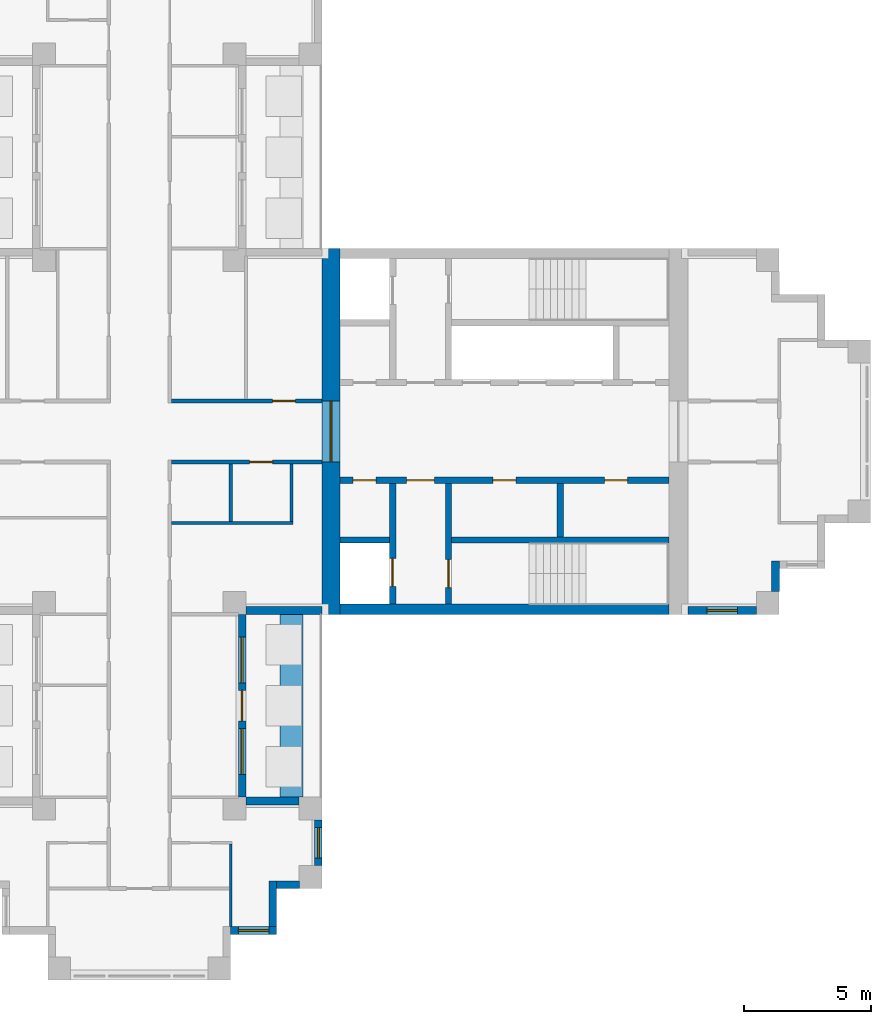
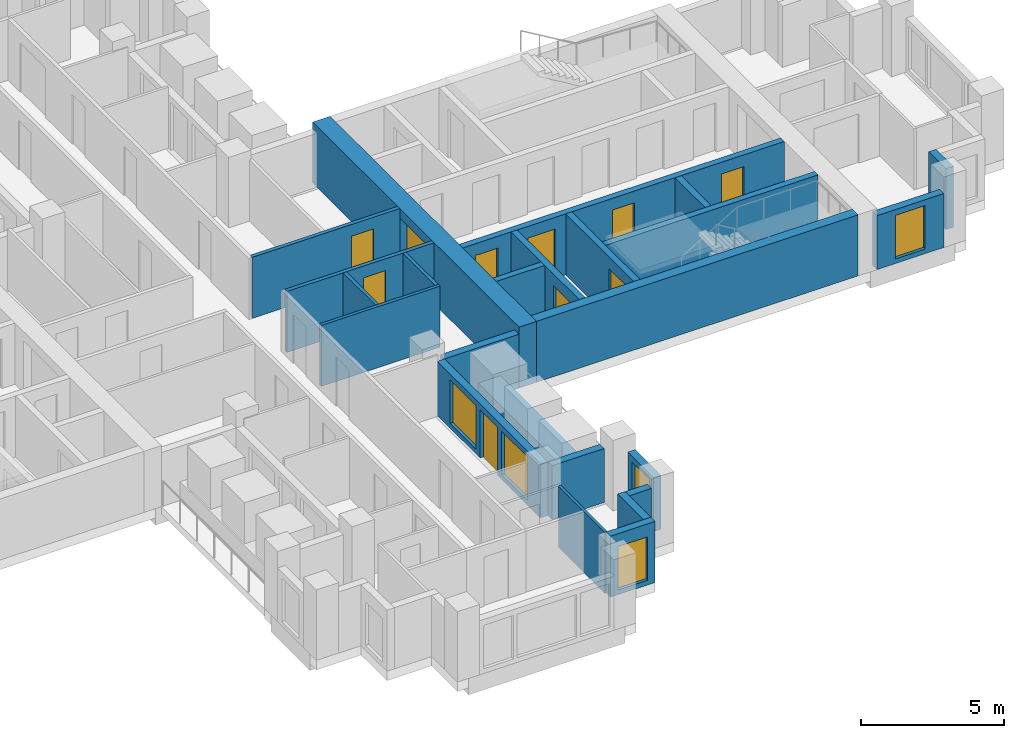
# One storey, part 5 of 10: 24 walls, 10 doors, 5 windows, 15 openings.
"""IFC4 building model written with IfcOpenShell, lengths in metres."""

from ifc_helpers import new_model, si_unit, direction, frame, frame_2d, origin, place, context, subcontext, project, spatial, rectangle, extrude, material, layer, layer_set, type_object, element, fill, save


model = new_model("IFC4")

# Units and contexts
model_context = context("Model", 3, precision=1e-05, world=origin(), true_north=direction((0.0, 1.0)))
body_context = subcontext(model_context, "Body", "Model", "MODEL_VIEW")
ifc_project = project(units=[si_unit("LENGTHUNIT", "METRE"), si_unit("AREAUNIT", "SQUARE_METRE"), si_unit("VOLUMEUNIT", "CUBIC_METRE"), si_unit("PLANEANGLEUNIT", "RADIAN"), si_unit("MASSUNIT", "GRAM", prefix="KILO")], contexts=[model_context])

# Site, building, storey
site_placement = place(None, origin())
site = spatial("IfcSite", under=ifc_project, at=site_placement, CompositionType="ELEMENT")
building_placement = place(site_placement, origin())
building = spatial("IfcBuilding", under=site, at=building_placement, Name="Fustian Cross Tower", CompositionType="ELEMENT")
storey_placement = place(building_placement, frame((0.0, 0.0, 204.89990234375)))
storey = spatial("IfcBuildingStorey", under=building, at=storey_placement, Name="L64", CompositionType="ELEMENT", Elevation=204.89990234375)

# Wall, opening, door
ifc_material_1 = material(Name="Plasterboard on steel stud", Category="steel")
ifc_layer_1 = layer(ifc_material_1, 0.14990234375)
ifc_layer_set_1 = layer_set([ifc_layer_1], Name="Plasterboard on steel stud")
wall_type_1 = type_object("IfcWallType", Name="COMPARTMENT WALL 150 EI 60", PredefinedType="PARTITIONING", material=ifc_layer_set_1)
wall_1_placement = place(storey_placement, frame((1.27490234375, -1.199951171875, 0.0), z_axis=(0.0, 0.0, 1.0), x_axis=(1.0, 0.0, 0.0)))
wall_1 = element("IfcWall", 1, at=wall_1_placement, inside=storey, type_object=wall_type_1, Name="Partition 36", PredefinedType="PARTITIONING", context=body_context, shape_type="SweptSolid", body=[
    extrude(rectangle(XDim=5.925048828125, YDim=0.14990234375, at=frame_2d((2.96240234375, 0.0))), origin(), (0.0, 0.0, 1.0), 2.60009765625),
])
opening_1_placement = place(wall_1_placement, frame((3.074951171875, 0.0, 0.0)))
opening_1 = element("IfcOpeningElement", 2, at=opening_1_placement, cuts=wall_1, Name="Opening D29007", PredefinedType="OPENING", context=body_context, shape_type="SweptSolid", body=[
    extrude(rectangle(XDim=0.89990234375, YDim=2.10009765625, at=frame_2d((0.449951171875, 1.050048828125))), frame((0.0, 0.0849609375, 0.0), z_axis=(0.0, -1.0, 0.0), x_axis=(1.0, 0.0, 0.0)), (0.0, 0.0, 1.0), 0.169921875),
])
ifc_material_2 = material(Name="Timber fire door set", Category="wood")
door_type_1 = type_object("IfcDoorType", Name="FIRE SWING DOOR 900 FD30S", OperationType="SINGLE_SWING_LEFT", PredefinedType="DOOR", material=ifc_material_2)
door_1_placement = place(opening_1_placement, frame((0.89990234375, 0.0, 0.0), z_axis=(0.0, 0.0, 1.0), x_axis=(-1.0, 0.0, 0.0)))
door_1 = element("IfcDoor", 3, at=door_1_placement, inside=storey, type_object=door_type_1, Name="Door D29007", OperationType="SINGLE_SWING_RIGHT", OverallHeight=2.10009765625, OverallWidth=0.89990234375, PredefinedType="DOOR", context=body_context, shape_type="SweptSolid", body=[
    extrude(rectangle(XDim=0.89990234375, YDim=2.10009765625, at=frame_2d((0.449951171875, 1.050048828125))), frame((0.0, 0.02490234375, 0.0), z_axis=(0.0, -1.0, 0.0), x_axis=(1.0, 0.0, 0.0)), (0.0, 0.0, 1.0), 0.050048828125),
])
fill(opening_1, door_1)

wall_2_placement = place(storey_placement, frame((1.27490234375, 1.199951171875, 0.0), z_axis=(0.0, 0.0, 1.0), x_axis=(1.0, 0.0, 0.0)))
wall_2 = element("IfcWall", 4, at=wall_2_placement, inside=storey, type_object=wall_type_1, Name="Partition 38", PredefinedType="PARTITIONING", context=body_context, shape_type="SweptSolid", body=[
    extrude(rectangle(XDim=5.925048828125, YDim=0.14990234375, at=frame_2d((2.96240234375, 0.0))), origin(), (0.0, 0.0, 1.0), 2.60009765625),
])
opening_2_placement = place(wall_2_placement, frame((3.97509765625, 0.0, 0.0)))
opening_2 = element("IfcOpeningElement", 5, at=opening_2_placement, cuts=wall_2, Name="Opening D29002", PredefinedType="OPENING", context=body_context, shape_type="SweptSolid", body=[
    extrude(rectangle(XDim=0.89990234375, YDim=2.10009765625, at=frame_2d((0.449951171875, 1.050048828125))), frame((0.0, 0.0849609375, 0.0), z_axis=(0.0, -1.0, 0.0), x_axis=(1.0, 0.0, 0.0)), (0.0, 0.0, 1.0), 0.169921875),
])
door_2_placement = place(opening_2_placement, origin())
door_2 = element("IfcDoor", 6, at=door_2_placement, inside=storey, type_object=door_type_1, Name="Door D29002", OperationType="SINGLE_SWING_RIGHT", OverallHeight=2.10009765625, OverallWidth=0.89990234375, PredefinedType="DOOR", context=body_context, shape_type="SweptSolid", body=[
    extrude(rectangle(XDim=0.89990234375, YDim=2.10009765625, at=frame_2d((0.449951171875, 1.050048828125))), frame((0.0, 0.02490234375, 0.0), z_axis=(0.0, -1.0, 0.0), x_axis=(1.0, 0.0, 0.0)), (0.0, 0.0, 1.0), 0.050048828125),
])
fill(opening_2, door_2)

ifc_material_3 = material(Name="Concrete C50/60", Category="concrete")
ifc_layer_2 = layer(ifc_material_3, 0.699951171875)
ifc_layer_set_2 = layer_set([ifc_layer_2], Name="Concrete C50/60")
wall_type_2 = type_object("IfcWallType", Name="CORE END WALL 700 C50/60", PredefinedType="SHEAR", material=ifc_layer_set_2)
wall_3_placement = place(storey_placement, frame((7.550048828125, -7.199951171875, 0.0), z_axis=(0.0, 0.0, 1.0), x_axis=(0.0, 1.0, 0.0)))
wall_3 = element("IfcWall", 7, at=wall_3_placement, inside=storey, type_object=wall_type_2, Name="Core end wall", PredefinedType="SHEAR", context=body_context, shape_type="SweptSolid", body=[
    extrude(rectangle(XDim=14.39990234375, YDim=0.699951171875, at=frame_2d((7.199951171875, 0.0))), origin(), (0.0, 0.0, 1.0), 2.60009765625),
])
opening_3_placement = place(wall_3_placement, frame((6.0, 0.0, 0.0)))
opening_3 = element("IfcOpeningElement", 8, at=opening_3_placement, cuts=wall_3, Name="Opening CD-27-12", PredefinedType="OPENING", context=body_context, shape_type="SweptSolid", body=[
    extrude(rectangle(XDim=2.39990234375, YDim=2.199951171875, at=frame_2d((1.199951171875, 1.10009765625))), frame((0.0, 0.35986328125, 0.0), z_axis=(0.0, -1.0, 0.0), x_axis=(1.0, 0.0, 0.0)), (0.0, 0.0, 1.0), 0.719970703125),
])
ifc_material_4 = material(Name="Steel", Category="steel")
door_type_2 = type_object("IfcDoorType", Name="FIRE DOOR FD30S DOUBLE 2400X2200", OperationType="DOUBLE_DOOR_DOUBLE_SWING", PredefinedType="DOOR", material=ifc_material_4)
door_3_placement = place(opening_3_placement, frame((2.39990234375, 0.0, 0.0), z_axis=(0.0, 0.0, 1.0), x_axis=(-1.0, 0.0, 0.0)))
door_3 = element("IfcDoor", 9, at=door_3_placement, inside=storey, type_object=door_type_2, Name="Core door CD-27-12", OperationType="DOUBLE_DOOR_DOUBLE_SWING", OverallHeight=2.199951171875, OverallWidth=2.39990234375, PredefinedType="DOOR", context=body_context, shape_type="SweptSolid", body=[
    extrude(rectangle(XDim=2.39990234375, YDim=2.199951171875, at=frame_2d((1.199951171875, 1.10009765625))), frame((0.0, 0.02490234375, 0.0), z_axis=(0.0, -1.0, 0.0), x_axis=(1.0, 0.0, 0.0)), (0.0, 0.0, 1.0), 0.050048828125),
])
fill(opening_3, door_3)

# Wall
ifc_material_5 = material(Name="Concrete C50/60", Category="concrete")
ifc_layer_3 = layer(ifc_material_5, 0.39990234375)
ifc_layer_set_3 = layer_set([ifc_layer_3], Name="Concrete C50/60")
wall_type_3 = type_object("IfcWallType", Name="CORE FACADE WALL 400 C50/60", PredefinedType="SHEAR", material=ifc_layer_set_3)
wall_4_placement = place(storey_placement, frame((7.89990234375, -7.0, 0.0), z_axis=(0.0, 0.0, 1.0), x_axis=(1.0, 0.0, 0.0)))
element("IfcWall", 10, at=wall_4_placement, inside=storey, type_object=wall_type_3, Name="Core facade wall", PredefinedType="SHEAR", context=body_context, shape_type="SweptSolid", body=[
    extrude(rectangle(XDim=12.9501953125, YDim=0.39990234375, at=frame_2d((6.47509765625, 0.0))), origin(), (0.0, 0.0, 1.0), 2.60009765625),
])

# Wall, openings, doors
ifc_material_6 = material(Name="Concrete C50/60", Category="concrete")
ifc_layer_4 = layer(ifc_material_6, 0.25)
ifc_layer_set_4 = layer_set([ifc_layer_4], Name="Concrete C50/60")
wall_type_4 = type_object("IfcWallType", Name="CORE LOBBY WALL 250 C50/60", PredefinedType="SHEAR", material=ifc_layer_set_4)
wall_5_placement = place(storey_placement, frame((7.89990234375, -1.925048828125, 0.0), z_axis=(0.0, 0.0, 1.0), x_axis=(1.0, 0.0, 0.0)))
wall_5 = element("IfcWall", 11, at=wall_5_placement, inside=storey, type_object=wall_type_4, Name="Core lobby wall", PredefinedType="SHEAR", context=body_context, shape_type="SweptSolid", body=[
    extrude(rectangle(XDim=12.9501953125, YDim=0.25, at=frame_2d((6.47509765625, 0.0))), origin(), (0.0, 0.0, 1.0), 2.60009765625),
])
opening_4_placement = place(wall_5_placement, frame((0.52490234375, 0.0, 0.0)))
opening_4 = element("IfcOpeningElement", 12, at=opening_4_placement, cuts=wall_5, Name="Opening CD-27-09", PredefinedType="OPENING", context=body_context, shape_type="SweptSolid", body=[
    extrude(rectangle(XDim=0.89990234375, YDim=2.10009765625, at=frame_2d((0.449951171875, 1.050048828125))), frame((0.0, 0.135009765625, 0.0), z_axis=(0.0, -1.0, 0.0), x_axis=(1.0, 0.0, 0.0)), (0.0, 0.0, 1.0), 0.27001953125),
])
opening_5_placement = place(wall_5_placement, frame((2.625, 0.0, 0.0)))
opening_5 = element("IfcOpeningElement", 13, at=opening_5_placement, cuts=wall_5, Name="Opening CD-27-11", PredefinedType="OPENING", context=body_context, shape_type="SweptSolid", body=[
    extrude(rectangle(XDim=1.10009765625, YDim=2.10009765625, at=frame_2d((0.550048828125, 1.050048828125))), frame((0.0, 0.135009765625, 0.0), z_axis=(0.0, -1.0, 0.0), x_axis=(1.0, 0.0, 0.0)), (0.0, 0.0, 1.0), 0.27001953125),
])
opening_6_placement = place(wall_5_placement, frame((6.02490234375, 0.0, 0.0)))
opening_6 = element("IfcOpeningElement", 14, at=opening_6_placement, cuts=wall_5, Name="Opening CD-27-15", PredefinedType="OPENING", context=body_context, shape_type="SweptSolid", body=[
    extrude(rectangle(XDim=0.89990234375, YDim=2.10009765625, at=frame_2d((0.449951171875, 1.050048828125))), frame((0.0, 0.135009765625, 0.0), z_axis=(0.0, -1.0, 0.0), x_axis=(1.0, 0.0, 0.0)), (0.0, 0.0, 1.0), 0.27001953125),
])
opening_7_placement = place(wall_5_placement, frame((10.425048828125, 0.0, 0.0)))
opening_7 = element("IfcOpeningElement", 15, at=opening_7_placement, cuts=wall_5, Name="Opening CD-27-16", PredefinedType="OPENING", context=body_context, shape_type="SweptSolid", body=[
    extrude(rectangle(XDim=0.89990234375, YDim=2.10009765625, at=frame_2d((0.449951171875, 1.050048828125))), frame((0.0, 0.135009765625, 0.0), z_axis=(0.0, -1.0, 0.0), x_axis=(1.0, 0.0, 0.0)), (0.0, 0.0, 1.0), 0.27001953125),
])
ifc_material_7 = material(Name="Steel", Category="steel")
door_type_3 = type_object("IfcDoorType", Name="FIRE DOOR FD30S 1100X2100", OperationType="SINGLE_SWING_LEFT", PredefinedType="DOOR", material=ifc_material_7)
door_4_placement = place(opening_5_placement, frame((1.10009765625, 0.0, 0.0), z_axis=(0.0, 0.0, 1.0), x_axis=(-1.0, 0.0, 0.0)))
door_4 = element("IfcDoor", 16, at=door_4_placement, inside=storey, type_object=door_type_3, Name="Core door CD-27-11", OperationType="SINGLE_SWING_RIGHT", OverallHeight=2.10009765625, OverallWidth=1.10009765625, PredefinedType="DOOR", context=body_context, shape_type="SweptSolid", body=[
    extrude(rectangle(XDim=1.10009765625, YDim=2.10009765625, at=frame_2d((0.550048828125, 1.050048828125))), frame((0.0, 0.02490234375, 0.0), z_axis=(0.0, -1.0, 0.0), x_axis=(1.0, 0.0, 0.0)), (0.0, 0.0, 1.0), 0.050048828125),
])
fill(opening_5, door_4)
ifc_material_8 = material(Name="Steel", Category="steel")
door_type_4 = type_object("IfcDoorType", Name="FIRE DOOR FD30S 900X2100", OperationType="SINGLE_SWING_LEFT", PredefinedType="DOOR", material=ifc_material_8)
door_5_placement = place(opening_4_placement, frame((0.89990234375, 0.0, 0.0), z_axis=(0.0, 0.0, 1.0), x_axis=(-1.0, 0.0, 0.0)))
door_5 = element("IfcDoor", 17, at=door_5_placement, inside=storey, type_object=door_type_4, Name="Core door CD-27-09", OperationType="SINGLE_SWING_RIGHT", OverallHeight=2.10009765625, OverallWidth=0.89990234375, PredefinedType="DOOR", context=body_context, shape_type="SweptSolid", body=[
    extrude(rectangle(XDim=0.89990234375, YDim=2.10009765625, at=frame_2d((0.449951171875, 1.050048828125))), frame((0.0, 0.02490234375, 0.0), z_axis=(0.0, -1.0, 0.0), x_axis=(1.0, 0.0, 0.0)), (0.0, 0.0, 1.0), 0.050048828125),
])
fill(opening_4, door_5)
door_6_placement = place(opening_6_placement, frame((0.89990234375, 0.0, 0.0), z_axis=(0.0, 0.0, 1.0), x_axis=(-1.0, 0.0, 0.0)))
door_6 = element("IfcDoor", 18, at=door_6_placement, inside=storey, type_object=door_type_4, Name="Core door CD-27-15", OperationType="SINGLE_SWING_LEFT", OverallHeight=2.10009765625, OverallWidth=0.89990234375, PredefinedType="DOOR", context=body_context, shape_type="SweptSolid", body=[
    extrude(rectangle(XDim=0.89990234375, YDim=2.10009765625, at=frame_2d((0.449951171875, 1.050048828125))), frame((0.0, 0.02490234375, 0.0), z_axis=(0.0, -1.0, 0.0), x_axis=(1.0, 0.0, 0.0)), (0.0, 0.0, 1.0), 0.050048828125),
])
fill(opening_6, door_6)
door_7_placement = place(opening_7_placement, frame((0.89990234375, 0.0, 0.0), z_axis=(0.0, 0.0, 1.0), x_axis=(-1.0, 0.0, 0.0)))
door_7 = element("IfcDoor", 19, at=door_7_placement, inside=storey, type_object=door_type_4, Name="Core door CD-27-16", OperationType="SINGLE_SWING_LEFT", OverallHeight=2.10009765625, OverallWidth=0.89990234375, PredefinedType="DOOR", context=body_context, shape_type="SweptSolid", body=[
    extrude(rectangle(XDim=0.89990234375, YDim=2.10009765625, at=frame_2d((0.449951171875, 1.050048828125))), frame((0.0, 0.02490234375, 0.0), z_axis=(0.0, -1.0, 0.0), x_axis=(1.0, 0.0, 0.0)), (0.0, 0.0, 1.0), 0.050048828125),
])
fill(opening_7, door_7)

# Walls
ifc_material_9 = material(Name="Concrete C50/60", Category="concrete")
ifc_layer_5 = layer(ifc_material_9, 0.25)
ifc_layer_set_5 = layer_set([ifc_layer_5], Name="Concrete C50/60")
wall_type_5 = type_object("IfcWallType", Name="CORE SHAFT WALL 250 C50/60", PredefinedType="SHEAR", material=ifc_layer_set_5)
wall_6_placement = place(storey_placement, frame((7.89990234375, -4.27490234375, 0.0), z_axis=(0.0, 0.0, 1.0), x_axis=(1.0, 0.0, 0.0)))
element("IfcWall", 20, at=wall_6_placement, inside=storey, type_object=wall_type_5, Name="Core shaft wall", PredefinedType="SHEAR", context=body_context, shape_type="SweptSolid", body=[
    extrude(rectangle(XDim=1.9501953125, YDim=0.25, at=frame_2d((0.97509765625, 0.0))), origin(), (0.0, 0.0, 1.0), 2.60009765625),
])
wall_7_placement = place(storey_placement, frame((12.300048828125, -4.27490234375, 0.0), z_axis=(0.0, 0.0, 1.0), x_axis=(1.0, 0.0, 0.0)))
element("IfcWall", 21, at=wall_7_placement, inside=storey, type_object=wall_type_5, Name="Core shaft wall", PredefinedType="SHEAR", context=body_context, shape_type="SweptSolid", body=[
    extrude(rectangle(XDim=8.550048828125, YDim=0.25, at=frame_2d((4.27490234375, 0.0))), origin(), (0.0, 0.0, 1.0), 2.60009765625),
])

# Wall, opening, door
wall_8_placement = place(storey_placement, frame((9.97509765625, -2.050048828125, 0.0), z_axis=(0.0, 0.0, 1.0), x_axis=(0.0, -1.0, 0.0)))
wall_8 = element("IfcWall", 22, at=wall_8_placement, inside=storey, type_object=wall_type_5, Name="Core shaft wall", PredefinedType="SHEAR", context=body_context, shape_type="SweptSolid", body=[
    extrude(rectangle(XDim=4.75, YDim=0.25, at=frame_2d((2.375, 0.0))), origin(), (0.0, 0.0, 1.0), 2.60009765625),
])
opening_8_placement = place(wall_8_placement, frame((2.949951171875, 0.0, 0.0)))
opening_8 = element("IfcOpeningElement", 23, at=opening_8_placement, cuts=wall_8, Name="Opening LD", PredefinedType="OPENING", context=body_context, shape_type="SweptSolid", body=[
    extrude(rectangle(XDim=1.10009765625, YDim=2.10009765625, at=frame_2d((0.550048828125, 1.050048828125))), frame((0.0, 0.135009765625, 0.0), z_axis=(0.0, -1.0, 0.0), x_axis=(1.0, 0.0, 0.0)), (0.0, 0.0, 1.0), 0.27001953125),
])
ifc_material_10 = material(Name="Stainless steel", Category="steel")
door_type_5 = type_object("IfcDoorType", Name="LIFT LANDING DOOR 1100X2100", OperationType="SLIDING_TO_LEFT", PredefinedType="DOOR", material=ifc_material_10)
door_8_placement = place(opening_8_placement, origin())
door_8 = element("IfcDoor", 24, at=door_8_placement, inside=storey, type_object=door_type_5, Name="Landing door SV1", OperationType="SLIDING_TO_LEFT", OverallHeight=2.10009765625, OverallWidth=1.10009765625, PredefinedType="DOOR", context=body_context, shape_type="SweptSolid", body=[
    extrude(rectangle(XDim=1.10009765625, YDim=2.10009765625, at=frame_2d((0.550048828125, 1.050048828125))), frame((0.0, 0.02490234375, 0.0), z_axis=(0.0, -1.0, 0.0), x_axis=(1.0, 0.0, 0.0)), (0.0, 0.0, 1.0), 0.050048828125),
])
fill(opening_8, door_8)

wall_9_placement = place(storey_placement, frame((12.175048828125, -2.050048828125, 0.0), z_axis=(0.0, 0.0, 1.0), x_axis=(0.0, -1.0, 0.0)))
wall_9 = element("IfcWall", 25, at=wall_9_placement, inside=storey, type_object=wall_type_5, Name="Core shaft wall", PredefinedType="SHEAR", context=body_context, shape_type="SweptSolid", body=[
    extrude(rectangle(XDim=4.75, YDim=0.25, at=frame_2d((2.375, 0.0))), origin(), (0.0, 0.0, 1.0), 2.60009765625),
])
opening_9_placement = place(wall_9_placement, frame((3.0, 0.0, 0.0)))
opening_9 = element("IfcOpeningElement", 26, at=opening_9_placement, cuts=wall_9, Name="Opening CD-27-07", PredefinedType="OPENING", context=body_context, shape_type="SweptSolid", body=[
    extrude(rectangle(XDim=1.10009765625, YDim=2.10009765625, at=frame_2d((0.550048828125, 1.050048828125))), frame((0.0, 0.135009765625, 0.0), z_axis=(0.0, -1.0, 0.0), x_axis=(1.0, 0.0, 0.0)), (0.0, 0.0, 1.0), 0.27001953125),
])
ifc_material_11 = material(Name="Steel", Category="steel")
door_type_6 = type_object("IfcDoorType", Name="FIRE DOOR FD60S 1100X2100", OperationType="SINGLE_SWING_LEFT", PredefinedType="DOOR", material=ifc_material_11)
door_9_placement = place(opening_9_placement, origin())
door_9 = element("IfcDoor", 27, at=door_9_placement, inside=storey, type_object=door_type_6, Name="Core door CD-27-07", OperationType="SINGLE_SWING_LEFT", OverallHeight=2.10009765625, OverallWidth=1.10009765625, PredefinedType="DOOR", context=body_context, shape_type="SweptSolid", body=[
    extrude(rectangle(XDim=1.10009765625, YDim=2.10009765625, at=frame_2d((0.550048828125, 1.050048828125))), frame((0.0, 0.02490234375, 0.0), z_axis=(0.0, -1.0, 0.0), x_axis=(1.0, 0.0, 0.0)), (0.0, 0.0, 1.0), 0.050048828125),
])
fill(opening_9, door_9)

# Walls
ifc_material_12 = material(Name="Plasterboard on steel stud", Category="steel")
ifc_layer_6 = layer(ifc_material_12, 0.10009765625)
ifc_layer_set_6 = layer_set([ifc_layer_6], Name="Plasterboard on steel stud")
wall_type_6 = type_object("IfcWallType", Name="PARTITION 100 STUD", PredefinedType="PARTITIONING", material=ifc_layer_set_6)
wall_10_placement = place(storey_placement, frame((3.60009765625, -19.5, 0.0), z_axis=(0.0, 0.0, 1.0), x_axis=(0.0, 1.0, 0.0)))
element("IfcWall", 28, at=wall_10_placement, inside=storey, type_object=wall_type_6, Name="Partition 43", PredefinedType="PARTITIONING", context=body_context, shape_type="SweptSolid", body=[
    extrude(rectangle(XDim=3.25, YDim=0.10009765625, at=frame_2d((1.625, 0.0))), origin(), (0.0, 0.0, 1.0), 2.60009765625),
])
ifc_material_13 = material(Name="Concrete C40/50", Category="concrete")
ifc_layer_7 = layer(ifc_material_13, 0.89990234375)
ifc_layer_set_7 = layer_set([ifc_layer_7], Name="Concrete C40/50")
wall_type_7 = type_object("IfcWallType", Name="PK1 PLANTER 900", PredefinedType="PARAPET", material=ifc_layer_set_7)
wall_11_placement = place(storey_placement, frame((6.0, -14.39990234375, 0.0), z_axis=(0.0, 0.0, 1.0), x_axis=(0.0, 1.0, 0.0)))
element("IfcWall", 29, at=wall_11_placement, inside=storey, type_object=wall_type_7, Name="PLANTER", PredefinedType="PARAPET", context=body_context, shape_type="SweptSolid", body=[
    extrude(rectangle(XDim=7.199951171875, YDim=0.89990234375, at=frame_2d((3.60009765625, 0.0))), origin(), (0.0, 0.0, 1.0), 0.800048828125),
])
ifc_material_14 = material(Name="Concrete C40/50", Category="concrete")
ifc_layer_8 = layer(ifc_material_14, 0.25)
ifc_layer_set_8 = layer_set([ifc_layer_8], Name="Concrete C40/50")
wall_type_8 = type_object("IfcWallType", Name="SHAFT PARTITION WALL 250 C40/50", PredefinedType="PARTITIONING", material=ifc_layer_set_8)
wall_12_placement = place(storey_placement, frame((16.574951171875, -2.050048828125, 0.0), z_axis=(0.0, 0.0, 1.0), x_axis=(0.0, -1.0, 0.0)))
element("IfcWall", 30, at=wall_12_placement, inside=storey, type_object=wall_type_8, Name="Core shaft wall", PredefinedType="PARTITIONING", context=body_context, shape_type="SweptSolid", body=[
    extrude(rectangle(XDim=2.099853515625, YDim=0.25, at=frame_2d((1.0498046875, 0.0))), origin(), (0.0, 0.0, 1.0), 2.60009765625),
])
ifc_material_15 = material(Name="Plasterboard on steel stud", Category="steel")
ifc_layer_9 = layer(ifc_material_15, 0.125)
ifc_layer_set_9 = layer_set([ifc_layer_9], Name="Plasterboard on steel stud")
wall_type_9 = type_object("IfcWallType", Name="WET WALL 125 STUD", PredefinedType="PARTITIONING", material=ifc_layer_set_9)
wall_13_placement = place(storey_placement, frame((1.27490234375, -3.60009765625, 0.0), z_axis=(0.0, 0.0, 1.0), x_axis=(1.0, 0.0, 0.0)))
element("IfcWall", 31, at=wall_13_placement, inside=storey, type_object=wall_type_9, Name="Partition 35", PredefinedType="PARTITIONING", context=body_context, shape_type="SweptSolid", body=[
    extrude(rectangle(XDim=4.78759765625, YDim=0.125, at=frame_2d((2.393798828125, 0.0))), origin(), (0.0, 0.0, 1.0), 2.60009765625),
])
for number, where, z_axis, x_axis, name in (
    (32, (3.60009765625, -3.53759765625, 0.0), (0.0, 0.0, 1.0), (0.0, 1.0, 0.0), "Partition 44"),
    (33, (6.0, -3.53759765625, 0.0), (0.0, 0.0, 1.0), (0.0, 1.0, 0.0), "Partition 47"),
):
    element("IfcWall", number, at=place(storey_placement, frame(where, z_axis=z_axis, x_axis=x_axis)), inside=storey, type_object=wall_type_9, Name=name, PredefinedType="PARTITIONING", context=body_context, shape_type="SweptSolid", body=[
        extrude(rectangle(XDim=2.2626953125, YDim=0.125, at=frame_2d((1.13134765625, 0.0))), origin(), (0.0, 0.0, 1.0), 2.60009765625),
    ])

# Wall, opening, window
ifc_material_16 = material(Name="Dark aluminium cladding on insulated backing wall", Category="aluminium")
ifc_layer_10 = layer(ifc_material_16, 0.300048828125)
ifc_layer_set_10 = layer_set([ifc_layer_10], Name="Dark aluminium cladding on insulated backing wall")
wall_type_10 = type_object("IfcWallType", Name="XW1 EXTERNAL WALL 300", PredefinedType="SOLIDWALL", material=ifc_layer_set_10)
wall_14_placement = place(storey_placement, frame((21.60009765625, -7.050048828125, 0.0), z_axis=(0.0, 0.0, 1.0), x_axis=(1.0, 0.0, 0.0)))
wall_14 = element("IfcWall", 34, at=wall_14_placement, inside=storey, type_object=wall_type_10, Name="External wall", PredefinedType="SOLIDWALL", context=body_context, shape_type="SweptSolid", body=[
    extrude(rectangle(XDim=2.699951171875, YDim=0.300048828125, at=frame_2d((1.35009765625, 0.0))), origin(), (0.0, 0.0, 1.0), 2.300048828125),
])
opening_10_placement = place(wall_14_placement, frame((0.75, 0.0, 0.199951171875)))
opening_10 = element("IfcOpeningElement", 35, at=opening_10_placement, cuts=wall_14, Name="Opening WN3", PredefinedType="OPENING", context=body_context, shape_type="SweptSolid", body=[
    extrude(rectangle(XDim=1.199951171875, YDim=1.85009765625, at=frame_2d((0.60009765625, 0.925048828125))), frame((0.0, 0.159912109375, 0.0), z_axis=(0.0, -1.0, 0.0), x_axis=(1.0, 0.0, 0.0)), (0.0, 0.0, 1.0), 0.320068359375),
])
ifc_material_17 = material(Name="Dark anodised aluminium and double glazing", Category="aluminium")
window_type_1 = type_object("IfcWindowType", Name="WN3 WINDOW 1200X1850", PartitioningType="SINGLE_PANEL", PredefinedType="WINDOW", material=ifc_material_17)
window_1_placement = place(opening_10_placement, origin())
window_1 = element("IfcWindow", 36, at=window_1_placement, inside=storey, type_object=window_type_1, Name="Window", OverallHeight=1.85009765625, OverallWidth=1.199951171875, PartitioningType="SINGLE_PANEL", PredefinedType="WINDOW", context=body_context, shape_type="SweptSolid", body=[
    extrude(rectangle(XDim=1.199951171875, YDim=1.85009765625, at=frame_2d((0.60009765625, 0.925048828125))), frame((0.0, 0.030029296875, 0.0), z_axis=(0.0, -1.0, 0.0), x_axis=(1.0, 0.0, 0.0)), (0.0, 0.0, 1.0), 0.06005859375),
])
fill(opening_10, window_1)

# Wall
wall_15_placement = place(storey_placement, frame((25.050048828125, -6.300048828125, 0.0), z_axis=(0.0, 0.0, 1.0), x_axis=(0.0, 1.0, 0.0)))
element("IfcWall", 37, at=wall_15_placement, inside=storey, type_object=wall_type_10, Name="External wall", PredefinedType="SOLIDWALL", context=body_context, shape_type="SweptSolid", body=[
    extrude(rectangle(XDim=1.199951171875, YDim=0.300048828125, at=frame_2d((0.60009765625, 0.0))), origin(), (0.0, 0.0, 1.0), 2.60009765625),
])

# Wall, opening, window
wall_16_placement = place(storey_placement, frame((3.60009765625, -19.64990234375, 0.0), z_axis=(0.0, 0.0, 1.0), x_axis=(1.0, 0.0, 0.0)))
wall_16 = element("IfcWall", 38, at=wall_16_placement, inside=storey, type_object=wall_type_10, Name="External wall", PredefinedType="SOLIDWALL", context=body_context, shape_type="SweptSolid", body=[
    extrude(rectangle(XDim=1.7998046875, YDim=0.300048828125, at=frame_2d((0.89990234375, 0.0))), origin(), (0.0, 0.0, 1.0), 2.60009765625),
])
opening_11_placement = place(wall_16_placement, frame((0.300048828125, 0.0, 0.199951171875)))
opening_11 = element("IfcOpeningElement", 39, at=opening_11_placement, cuts=wall_16, Name="Opening WN3", PredefinedType="OPENING", context=body_context, shape_type="SweptSolid", body=[
    extrude(rectangle(XDim=1.199951171875, YDim=1.85009765625, at=frame_2d((0.60009765625, 0.925048828125))), frame((0.0, 0.159912109375, 0.0), z_axis=(0.0, -1.0, 0.0), x_axis=(1.0, 0.0, 0.0)), (0.0, 0.0, 1.0), 0.320068359375),
])
window_2_placement = place(opening_11_placement, origin())
window_2 = element("IfcWindow", 40, at=window_2_placement, inside=storey, type_object=window_type_1, Name="Window", OverallHeight=1.85009765625, OverallWidth=1.199951171875, PartitioningType="SINGLE_PANEL", PredefinedType="WINDOW", context=body_context, shape_type="SweptSolid", body=[
    extrude(rectangle(XDim=1.199951171875, YDim=1.85009765625, at=frame_2d((0.60009765625, 0.925048828125))), frame((0.0, 0.030029296875, 0.0), z_axis=(0.0, -1.0, 0.0), x_axis=(1.0, 0.0, 0.0)), (0.0, 0.0, 1.0), 0.06005859375),
])
fill(opening_11, window_2)

# Walls
wall_17_placement = place(storey_placement, frame((5.25, -19.5, 0.0), z_axis=(0.0, 0.0, 1.0), x_axis=(0.0, 1.0, 0.0)))
element("IfcWall", 41, at=wall_17_placement, inside=storey, type_object=wall_type_10, Name="External wall", PredefinedType="SOLIDWALL", context=body_context, shape_type="SweptSolid", body=[
    extrude(rectangle(XDim=1.800048828125, YDim=0.300048828125, at=frame_2d((0.89990234375, 0.0))), origin(), (0.0, 0.0, 1.0), 2.60009765625),
])
wall_18_placement = place(storey_placement, frame((5.39990234375, -17.85009765625, 0.0), z_axis=(0.0, 0.0, 1.0), x_axis=(1.0, 0.0, 0.0)))
element("IfcWall", 42, at=wall_18_placement, inside=storey, type_object=wall_type_10, Name="External wall", PredefinedType="SOLIDWALL", context=body_context, shape_type="SweptSolid", body=[
    extrude(rectangle(XDim=0.900146484375, YDim=0.300048828125, at=frame_2d((0.4501953125, 0.0))), origin(), (0.0, 0.0, 1.0), 2.60009765625),
])

# Wall, opening, window
wall_19_placement = place(storey_placement, frame((7.050048828125, -17.10009765625, 0.0), z_axis=(0.0, 0.0, 1.0), x_axis=(0.0, 1.0, 0.0)))
wall_19 = element("IfcWall", 43, at=wall_19_placement, inside=storey, type_object=wall_type_10, Name="External wall", PredefinedType="SOLIDWALL", context=body_context, shape_type="SweptSolid", body=[
    extrude(rectangle(XDim=1.800048828125, YDim=0.300048828125, at=frame_2d((0.89990234375, 0.0))), origin(), (0.0, 0.0, 1.0), 2.300048828125),
])
opening_12_placement = place(wall_19_placement, frame((0.300048828125, 0.0, 0.199951171875)))
opening_12 = element("IfcOpeningElement", 44, at=opening_12_placement, cuts=wall_19, Name="Opening WN3", PredefinedType="OPENING", context=body_context, shape_type="SweptSolid", body=[
    extrude(rectangle(XDim=1.199951171875, YDim=1.85009765625, at=frame_2d((0.60009765625, 0.925048828125))), frame((0.0, 0.159912109375, 0.0), z_axis=(0.0, -1.0, 0.0), x_axis=(1.0, 0.0, 0.0)), (0.0, 0.0, 1.0), 0.320068359375),
])
window_3_placement = place(opening_12_placement, origin())
window_3 = element("IfcWindow", 45, at=window_3_placement, inside=storey, type_object=window_type_1, Name="Window", OverallHeight=1.85009765625, OverallWidth=1.199951171875, PartitioningType="SINGLE_PANEL", PredefinedType="WINDOW", context=body_context, shape_type="SweptSolid", body=[
    extrude(rectangle(XDim=1.199951171875, YDim=1.85009765625, at=frame_2d((0.60009765625, 0.925048828125))), frame((0.0, 0.030029296875, 0.0), z_axis=(0.0, -1.0, 0.0), x_axis=(1.0, 0.0, 0.0)), (0.0, 0.0, 1.0), 0.06005859375),
])
fill(opening_12, window_3)

# Wall
wall_20_placement = place(storey_placement, frame((6.300048828125, -14.550048828125, 0.0), z_axis=(0.0, 0.0, 1.0), x_axis=(-1.0, 0.0, 0.0)))
element("IfcWall", 46, at=wall_20_placement, inside=storey, type_object=wall_type_10, Name="External wall", PredefinedType="SOLIDWALL", context=body_context, shape_type="SweptSolid", body=[
    extrude(rectangle(XDim=2.10009765625, YDim=0.300048828125, at=frame_2d((1.050048828125, 0.0))), origin(), (0.0, 0.0, 1.0), 2.300048828125),
])

# Wall, openings, door, windows
wall_21_placement = place(storey_placement, frame((4.050048828125, -14.39990234375, 0.0), z_axis=(0.0, 0.0, 1.0), x_axis=(0.0, 1.0, 0.0)))
wall_21 = element("IfcWall", 47, at=wall_21_placement, inside=storey, type_object=wall_type_10, Name="External wall", PredefinedType="SOLIDWALL", context=body_context, shape_type="SweptSolid", body=[
    extrude(rectangle(XDim=7.199951171875, YDim=0.300048828125, at=frame_2d((3.60009765625, 0.0))), origin(), (0.0, 0.0, 1.0), 2.300048828125),
])
opening_13_placement = place(wall_21_placement, frame((3.0, 0.0, 0.0)))
opening_13 = element("IfcOpeningElement", 48, at=opening_13_placement, cuts=wall_21, Name="Opening XD3", PredefinedType="OPENING", context=body_context, shape_type="SweptSolid", body=[
    extrude(rectangle(XDim=1.199951171875, YDim=2.050048828125, at=frame_2d((0.60009765625, 1.02490234375))), frame((0.0, 0.159912109375, 0.0), z_axis=(0.0, -1.0, 0.0), x_axis=(1.0, 0.0, 0.0)), (0.0, 0.0, 1.0), 0.320068359375),
])
opening_14_placement = place(wall_21_placement, frame((0.89990234375, 0.0, 0.199951171875)))
opening_14 = element("IfcOpeningElement", 49, at=opening_14_placement, cuts=wall_21, Name="Opening WN2", PredefinedType="OPENING", context=body_context, shape_type="SweptSolid", body=[
    extrude(rectangle(XDim=1.800048828125, YDim=1.85009765625, at=frame_2d((0.89990234375, 0.925048828125))), frame((0.0, 0.159912109375, 0.0), z_axis=(0.0, -1.0, 0.0), x_axis=(1.0, 0.0, 0.0)), (0.0, 0.0, 1.0), 0.320068359375),
])
opening_15_placement = place(wall_21_placement, frame((4.5, 0.0, 0.199951171875)))
opening_15 = element("IfcOpeningElement", 50, at=opening_15_placement, cuts=wall_21, Name="Opening WN2", PredefinedType="OPENING", context=body_context, shape_type="SweptSolid", body=[
    extrude(rectangle(XDim=1.800048828125, YDim=1.85009765625, at=frame_2d((0.89990234375, 0.925048828125))), frame((0.0, 0.159912109375, 0.0), z_axis=(0.0, -1.0, 0.0), x_axis=(1.0, 0.0, 0.0)), (0.0, 0.0, 1.0), 0.320068359375),
])
ifc_material_18 = material(Name="Dark anodised aluminium and double glazing", Category="aluminium")
door_type_7 = type_object("IfcDoorType", Name="ED1 BALCONY DOOR 1200X2050", OperationType="SINGLE_SWING_LEFT", PredefinedType="DOOR", material=ifc_material_18)
door_10_placement = place(opening_13_placement, origin())
door_10 = element("IfcDoor", 51, at=door_10_placement, inside=storey, type_object=door_type_7, Name="Balcony door", OperationType="SINGLE_SWING_LEFT", OverallHeight=2.050048828125, OverallWidth=1.199951171875, PredefinedType="DOOR", context=body_context, shape_type="SweptSolid", body=[
    extrude(rectangle(XDim=1.199951171875, YDim=2.050048828125, at=frame_2d((0.60009765625, 1.02490234375))), frame((0.0, 0.02490234375, 0.0), z_axis=(0.0, -1.0, 0.0), x_axis=(1.0, 0.0, 0.0)), (0.0, 0.0, 1.0), 0.050048828125),
])
fill(opening_13, door_10)
ifc_material_19 = material(Name="Dark anodised aluminium and double glazing", Category="aluminium")
window_type_2 = type_object("IfcWindowType", Name="WN2 WINDOW 1800X1850", PartitioningType="SINGLE_PANEL", PredefinedType="WINDOW", material=ifc_material_19)
window_4_placement = place(opening_14_placement, origin())
window_4 = element("IfcWindow", 52, at=window_4_placement, inside=storey, type_object=window_type_2, Name="Window", OverallHeight=1.85009765625, OverallWidth=1.800048828125, PartitioningType="SINGLE_PANEL", PredefinedType="WINDOW", context=body_context, shape_type="SweptSolid", body=[
    extrude(rectangle(XDim=1.800048828125, YDim=1.85009765625, at=frame_2d((0.89990234375, 0.925048828125))), frame((0.0, 0.030029296875, 0.0), z_axis=(0.0, -1.0, 0.0), x_axis=(1.0, 0.0, 0.0)), (0.0, 0.0, 1.0), 0.06005859375),
])
fill(opening_14, window_4)
window_5_placement = place(opening_15_placement, origin())
window_5 = element("IfcWindow", 53, at=window_5_placement, inside=storey, type_object=window_type_2, Name="Window", OverallHeight=1.85009765625, OverallWidth=1.800048828125, PartitioningType="SINGLE_PANEL", PredefinedType="WINDOW", context=body_context, shape_type="SweptSolid", body=[
    extrude(rectangle(XDim=1.800048828125, YDim=1.85009765625, at=frame_2d((0.89990234375, 0.925048828125))), frame((0.0, 0.030029296875, 0.0), z_axis=(0.0, -1.0, 0.0), x_axis=(1.0, 0.0, 0.0)), (0.0, 0.0, 1.0), 0.06005859375),
])
fill(opening_15, window_5)

# Wall
wall_22_placement = place(storey_placement, frame((4.199951171875, -7.050048828125, 0.0), z_axis=(0.0, 0.0, 1.0), x_axis=(1.0, 0.0, 0.0)))
element("IfcWall", 54, at=wall_22_placement, inside=storey, type_object=wall_type_10, Name="External wall", PredefinedType="SOLIDWALL", context=body_context, shape_type="SweptSolid", body=[
    extrude(rectangle(XDim=3.0, YDim=0.300048828125, at=frame_2d((1.5, 0.0))), origin(), (0.0, 0.0, 1.0), 2.300048828125),
])

save(model, "model.ifc")
